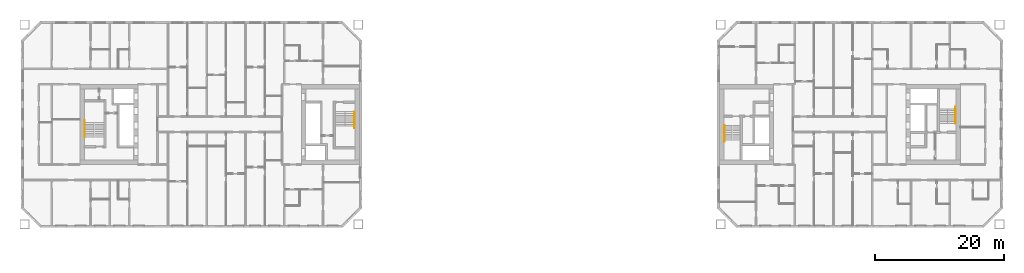
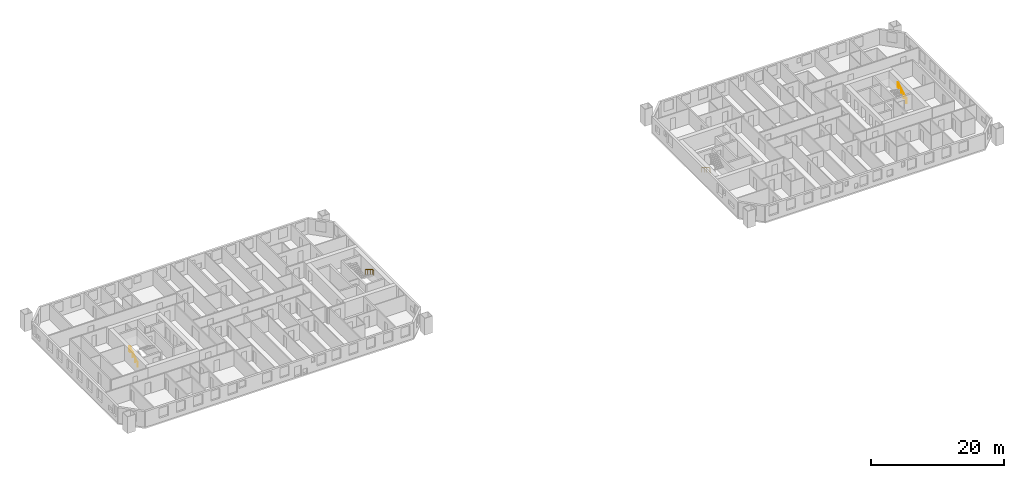
# One storey, part 17 of 17: 4 railings.
"""IFC4 building model written with IfcOpenShell, lengths in metres."""

from ifc_helpers import new_model, si_unit, direction, frame, origin, origin_2d, place, context, subcontext, project, spatial, circle, extrude, material, type_object, element, save


model = new_model("IFC4")

# Units and contexts
model_context = context("Model", 3, precision=1e-05, world=origin(), true_north=direction((0.0, 1.0)))
body_context = subcontext(model_context, "Body", "Model", "MODEL_VIEW")
ifc_project = project(units=[si_unit("LENGTHUNIT", "METRE"), si_unit("AREAUNIT", "SQUARE_METRE"), si_unit("VOLUMEUNIT", "CUBIC_METRE"), si_unit("PLANEANGLEUNIT", "RADIAN"), si_unit("MASSUNIT", "GRAM", prefix="KILO")], contexts=[model_context])

# Site, building, storey
site_placement = place(None, origin())
site = spatial("IfcSite", under=ifc_project, at=site_placement, CompositionType="ELEMENT")
building_placement = place(site_placement, origin())
building = spatial("IfcBuilding", under=site, at=building_placement, Name="Tuart Gate Housing", CompositionType="ELEMENT")
storey_placement = place(building_placement, frame((0.0, 0.0, 84.0)))
storey = spatial("IfcBuildingStorey", under=building, at=storey_placement, Name="L23", CompositionType="ELEMENT", Elevation=84.0)

# Railings
ifc_material = material(Name="Stainless steel", Category="steel")
railing_type = type_object("IfcRailingType", Name="Stair handrail 900", PredefinedType="HANDRAIL", material=ifc_material)
railing_1_placement = place(storey_placement, frame((74.8798828125, 71.949951171875, 0.172119140625)))
element("IfcRailing", 1, at=railing_1_placement, inside=storey, type_object=railing_type, Name="Stair handrail SA1.1", PredefinedType="HANDRAIL", context=body_context, shape_type="SweptSolid", body=[
    extrude(circle(Radius=0.02392578125, at=origin_2d()), frame((0.0, 0.0, 0.8759765625), z_axis=(0.0, -0.851747552033, 0.523952390591), x_axis=(1.0, 0.0, 0.0)), (0.0, 0.0, 1.0), 2.6298828125),
    extrude(circle(Radius=0.02392578125, at=origin_2d()), frame((0.0, -2.239990234375, 2.25390625), z_axis=(0.0, -1.0, 0.0), x_axis=(1.0, 0.0, 0.0)), (0.0, 0.0, 1.0), 0.300048828125),
    extrude(circle(Radius=0.02099609375, at=origin_2d()), origin(), (0.0, 0.0, 1.0), 0.851806640625),
    extrude(circle(Radius=0.02099609375, at=origin_2d()), frame((0.0, -0.74658203125, 0.459228515625)), (0.0, 0.0, 1.0), 0.851806640625),
    extrude(circle(Radius=0.02099609375, at=origin_2d()), frame((0.0, -1.493408203125, 0.918701171875)), (0.0, 0.0, 1.0), 0.851806640625),
    extrude(circle(Radius=0.02099609375, at=origin_2d()), frame((0.0, -2.239990234375, 1.3779296875)), (0.0, 0.0, 1.0), 0.851806640625),
    extrude(circle(Radius=0.02099609375, at=origin_2d()), frame((0.0, -2.5400390625, 1.3779296875)), (0.0, 0.0, 1.0), 0.851806640625),
])
railing_2_placement = place(storey_placement, frame((33.1201171875, 68.050048828125, 0.172119140625)))
element("IfcRailing", 2, at=railing_2_placement, inside=storey, type_object=railing_type, Name="Stair handrail SA2.1", PredefinedType="HANDRAIL", context=body_context, shape_type="SweptSolid", body=[
    extrude(circle(Radius=0.02392578125, at=origin_2d()), frame((0.0, 0.0, 0.8759765625), z_axis=(0.0, 0.851747552033, 0.523952390591), x_axis=(-1.0, 0.0, 0.0)), (0.0, 0.0, 1.0), 2.6298828125),
    extrude(circle(Radius=0.02392578125, at=origin_2d()), frame((0.0, 2.239990234375, 2.25390625), z_axis=(0.0, 1.0, 0.0), x_axis=(-1.0, 0.0, 0.0)), (0.0, 0.0, 1.0), 0.300048828125),
    extrude(circle(Radius=0.02099609375, at=origin_2d()), origin(), (0.0, 0.0, 1.0), 0.851806640625),
    extrude(circle(Radius=0.02099609375, at=origin_2d()), frame((0.0, 0.74658203125, 0.459228515625)), (0.0, 0.0, 1.0), 0.851806640625),
    extrude(circle(Radius=0.02099609375, at=origin_2d()), frame((0.0, 1.493408203125, 0.918701171875)), (0.0, 0.0, 1.0), 0.851806640625),
    extrude(circle(Radius=0.02099609375, at=origin_2d()), frame((0.0, 2.239990234375, 1.3779296875)), (0.0, 0.0, 1.0), 0.851806640625),
    extrude(circle(Radius=0.02099609375, at=origin_2d()), frame((0.0, 2.5400390625, 1.3779296875)), (0.0, 0.0, 1.0), 0.851806640625),
])
railing_3_placement = place(storey_placement, frame((132.1201171875, 69.85009765625, 0.172119140625)))
element("IfcRailing", 3, at=railing_3_placement, inside=storey, type_object=railing_type, Name="Stair handrail SB1.1", PredefinedType="HANDRAIL", context=body_context, shape_type="SweptSolid", body=[
    extrude(circle(Radius=0.02392578125, at=origin_2d()), frame((0.0, 0.0, 0.8759765625), z_axis=(0.0, -0.851747552033, 0.523952390591), x_axis=(1.0, 0.0, 0.0)), (0.0, 0.0, 1.0), 2.6298828125),
    extrude(circle(Radius=0.02392578125, at=origin_2d()), frame((0.0, -2.239990234375, 2.25390625), z_axis=(0.0, -1.0, 0.0), x_axis=(1.0, 0.0, 0.0)), (0.0, 0.0, 1.0), 0.300048828125),
    extrude(circle(Radius=0.02099609375, at=origin_2d()), origin(), (0.0, 0.0, 1.0), 0.851806640625),
    extrude(circle(Radius=0.02099609375, at=origin_2d()), frame((0.0, -0.74658203125, 0.459228515625)), (0.0, 0.0, 1.0), 0.851806640625),
    extrude(circle(Radius=0.02099609375, at=origin_2d()), frame((0.0, -1.493408203125, 0.918701171875)), (0.0, 0.0, 1.0), 0.851806640625),
    extrude(circle(Radius=0.02099609375, at=origin_2d()), frame((0.0, -2.239990234375, 1.3779296875)), (0.0, 0.0, 1.0), 0.851806640625),
    extrude(circle(Radius=0.02099609375, at=origin_2d()), frame((0.0, -2.5400390625, 1.3779296875)), (0.0, 0.0, 1.0), 0.851806640625),
])
railing_4_placement = place(storey_placement, frame((167.8798828125, 70.14990234375, 0.172119140625)))
element("IfcRailing", 4, at=railing_4_placement, inside=storey, type_object=railing_type, Name="Stair handrail SB2.1", PredefinedType="HANDRAIL", context=body_context, shape_type="SweptSolid", body=[
    extrude(circle(Radius=0.02392578125, at=origin_2d()), frame((0.0, 0.0, 0.8759765625), z_axis=(0.0, 0.851747552033, 0.523952390591), x_axis=(-1.0, 0.0, 0.0)), (0.0, 0.0, 1.0), 2.6298828125),
    extrude(circle(Radius=0.02392578125, at=origin_2d()), frame((0.0, 2.239990234375, 2.25390625), z_axis=(0.0, 1.0, 0.0), x_axis=(-1.0, 0.0, 0.0)), (0.0, 0.0, 1.0), 0.300048828125),
    extrude(circle(Radius=0.02099609375, at=origin_2d()), origin(), (0.0, 0.0, 1.0), 0.851806640625),
    extrude(circle(Radius=0.02099609375, at=origin_2d()), frame((0.0, 0.74658203125, 0.459228515625)), (0.0, 0.0, 1.0), 0.851806640625),
    extrude(circle(Radius=0.02099609375, at=origin_2d()), frame((0.0, 1.493408203125, 0.918701171875)), (0.0, 0.0, 1.0), 0.851806640625),
    extrude(circle(Radius=0.02099609375, at=origin_2d()), frame((0.0, 2.239990234375, 1.3779296875)), (0.0, 0.0, 1.0), 0.851806640625),
    extrude(circle(Radius=0.02099609375, at=origin_2d()), frame((0.0, 2.5400390625, 1.3779296875)), (0.0, 0.0, 1.0), 0.851806640625),
])

save(model, "model.ifc")
